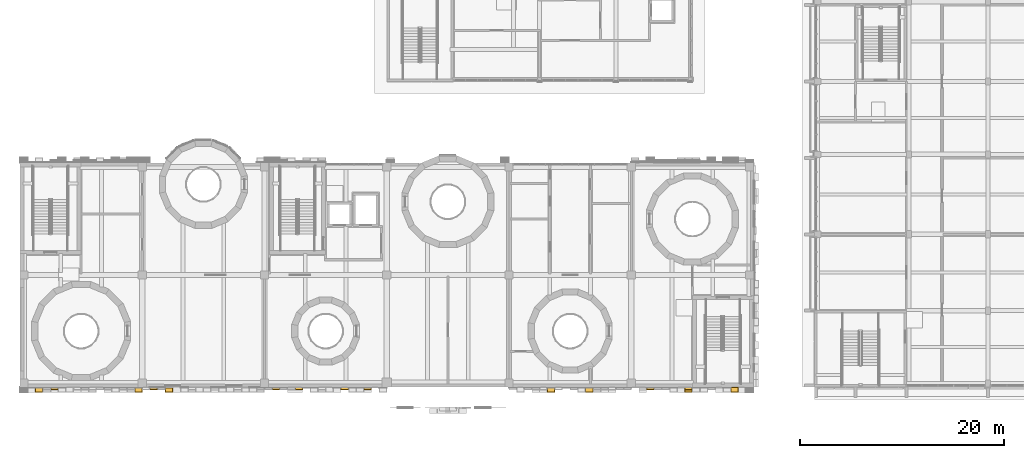
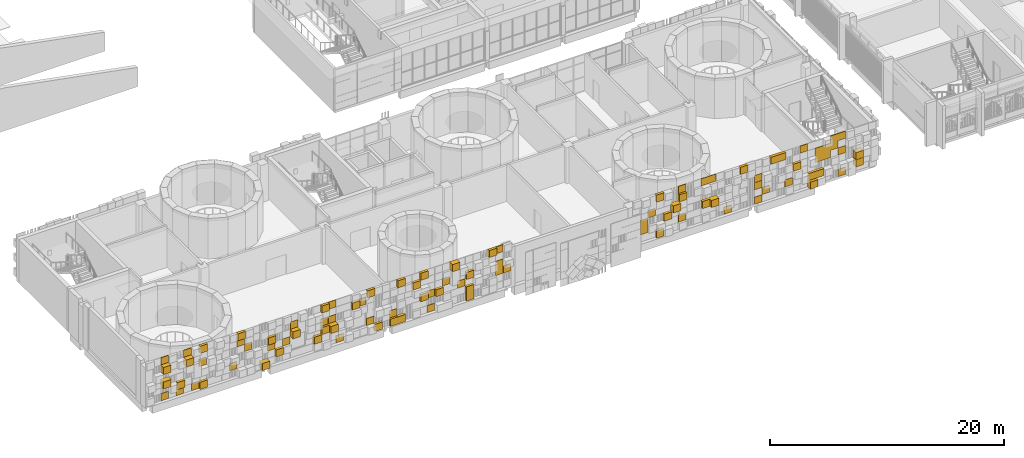
# One storey, part 62 of 92: 1 covering.
"""IFC4 building model written with IfcOpenShell, lengths in metres."""

from ifc_helpers import new_model, si_unit, direction, frame, origin, origin_2d, place, context, subcontext, project, spatial, rectangle, extrude, material, layer, layer_set, type_object, element, save


model = new_model("IFC4")

# Units and contexts
model_context = context("Model", 3, precision=1e-05, world=origin(), true_north=direction((0.0, 1.0)))
body_context = subcontext(model_context, "Body", "Model", "MODEL_VIEW")
ifc_project = project(units=[si_unit("LENGTHUNIT", "METRE"), si_unit("AREAUNIT", "SQUARE_METRE"), si_unit("VOLUMEUNIT", "CUBIC_METRE"), si_unit("PLANEANGLEUNIT", "RADIAN"), si_unit("MASSUNIT", "GRAM", prefix="KILO")], contexts=[model_context])

# Site, building, storey
site_placement = place(None, origin())
site = spatial("IfcSite", under=ifc_project, at=site_placement, CompositionType="ELEMENT")
building_placement = place(site_placement, origin())
building = spatial("IfcBuilding", under=site, at=building_placement, Name="Sun Court Science Centre", CompositionType="ELEMENT")
storey_placement = place(building_placement, frame((0.0, 0.0, 11.25)))
storey = spatial("IfcBuildingStorey", under=building, at=storey_placement, Name="L02", CompositionType="ELEMENT", Elevation=11.25)

# Covering
ifc_material = material(Name="Terracotta shade 2", Category="masonry")
ifc_layer = layer(ifc_material, 0.06005859375)
ifc_layer_set = layer_set([ifc_layer], Name="Terracotta shade 2")
covering_type = type_object("IfcCoveringType", Name="Terracotta pixel panel shade 2", PredefinedType="CLADDING", material=ifc_layer_set)
covering_placement = place(storey_placement, frame((0.0, 0.0, -11.25)))
element("IfcCovering", 1, at=covering_placement, inside=storey, type_object=covering_type, Name="Terracotta pixel cladding shade 2 south face L02", PredefinedType="CLADDING", context=body_context, shape_type="SweptSolid", body=[
    extrude(rectangle(XDim=0.739990234375, YDim=0.06005859375, at=origin_2d()), frame((68.625, 5.969970703125, 11.2548828125), z_axis=(0.0, 0.0, 1.0), x_axis=(-1.0, 0.0, 0.0)), (0.0, 0.0, 1.0), 0.739990234375),
    extrude(rectangle(XDim=0.739990234375, YDim=0.510009765625, at=origin_2d()), frame((65.625, 5.7451171875, 11.2548828125), z_axis=(0.0, 0.0, 1.0), x_axis=(-1.0, 0.0, 0.0)), (0.0, 0.0, 1.0), 0.739990234375),
    extrude(rectangle(XDim=0.739990234375, YDim=0.06005859375, at=origin_2d()), frame((60.375, 5.969970703125, 11.2548828125), z_axis=(0.0, 0.0, 1.0), x_axis=(-1.0, 0.0, 0.0)), (0.0, 0.0, 1.0), 0.739990234375),
    extrude(rectangle(XDim=0.739990234375, YDim=0.06005859375, at=origin_2d()), frame((57.375, 5.969970703125, 11.2548828125), z_axis=(0.0, 0.0, 1.0), x_axis=(-1.0, 0.0, 0.0)), (0.0, 0.0, 1.0), 0.739990234375),
    extrude(rectangle(XDim=0.739990234375, YDim=0.260009765625, at=origin_2d()), frame((50.625, 5.8701171875, 11.2548828125), z_axis=(0.0, 0.0, 1.0), x_axis=(-1.0, 0.0, 0.0)), (0.0, 0.0, 1.0), 0.739990234375),
    extrude(rectangle(XDim=0.739990234375, YDim=0.260009765625, at=origin_2d()), frame((31.875, 5.8701171875, 11.2548828125), z_axis=(0.0, 0.0, 1.0), x_axis=(-1.0, 0.0, 0.0)), (0.0, 0.0, 1.0), 0.739990234375),
    extrude(rectangle(XDim=0.739990234375, YDim=0.06005859375, at=origin_2d()), frame((28.125, 5.969970703125, 11.2548828125), z_axis=(0.0, 0.0, 1.0), x_axis=(-1.0, 0.0, 0.0)), (0.0, 0.0, 1.0), 0.739990234375),
    extrude(rectangle(XDim=0.739990234375, YDim=0.260009765625, at=origin_2d()), frame((25.125, 5.8701171875, 11.2548828125), z_axis=(0.0, 0.0, 1.0), x_axis=(-1.0, 0.0, 0.0)), (0.0, 0.0, 1.0), 0.739990234375),
    extrude(rectangle(XDim=0.739990234375, YDim=0.260009765625, at=origin_2d()), frame((24.375, 5.8701171875, 11.2548828125), z_axis=(0.0, 0.0, 1.0), x_axis=(-1.0, 0.0, 0.0)), (0.0, 0.0, 1.0), 0.739990234375),
    extrude(rectangle(XDim=0.739990234375, YDim=0.260009765625, at=origin_2d()), frame((22.875, 5.8701171875, 11.2548828125), z_axis=(0.0, 0.0, 1.0), x_axis=(-1.0, 0.0, 0.0)), (0.0, 0.0, 1.0), 0.739990234375),
    extrude(rectangle(XDim=0.739990234375, YDim=0.06005859375, at=origin_2d()), frame((19.125, 5.969970703125, 11.2548828125), z_axis=(0.0, 0.0, 1.0), x_axis=(-1.0, 0.0, 0.0)), (0.0, 0.0, 1.0), 0.739990234375),
    extrude(rectangle(XDim=0.739990234375, YDim=0.510009765625, at=origin_2d()), frame((11.625, 5.7451171875, 11.2548828125), z_axis=(0.0, 0.0, 1.0), x_axis=(-1.0, 0.0, 0.0)), (0.0, 0.0, 1.0), 0.739990234375),
    extrude(rectangle(XDim=0.739990234375, YDim=0.260009765625, at=origin_2d()), frame((5.625, 5.8701171875, 11.2548828125), z_axis=(0.0, 0.0, 1.0), x_axis=(-1.0, 0.0, 0.0)), (0.0, 0.0, 1.0), 0.739990234375),
    extrude(rectangle(XDim=0.739990234375, YDim=0.06005859375, at=origin_2d()), frame((4.875, 5.969970703125, 11.2548828125), z_axis=(0.0, 0.0, 1.0), x_axis=(-1.0, 0.0, 0.0)), (0.0, 0.0, 1.0), 0.739990234375),
    extrude(rectangle(XDim=0.739990234375, YDim=0.06005859375, at=origin_2d()), frame((3.375, 5.969970703125, 11.2548828125), z_axis=(0.0, 0.0, 1.0), x_axis=(-1.0, 0.0, 0.0)), (0.0, 0.0, 1.0), 0.739990234375),
    extrude(rectangle(XDim=0.739990234375, YDim=0.06005859375, at=origin_2d()), frame((1.875, 5.969970703125, 11.2548828125), z_axis=(0.0, 0.0, 1.0), x_axis=(-1.0, 0.0, 0.0)), (0.0, 0.0, 1.0), 0.739990234375),
    extrude(rectangle(XDim=0.739990234375, YDim=0.260009765625, at=origin_2d()), frame((66.375, 5.8701171875, 12.0048828125), z_axis=(0.0, 0.0, 1.0), x_axis=(-1.0, 0.0, 0.0)), (0.0, 0.0, 1.0), 0.739990234375),
    extrude(rectangle(XDim=0.739990234375, YDim=0.260009765625, at=origin_2d()), frame((65.625, 5.8701171875, 12.0048828125), z_axis=(0.0, 0.0, 1.0), x_axis=(-1.0, 0.0, 0.0)), (0.0, 0.0, 1.0), 0.739990234375),
    extrude(rectangle(XDim=0.739990234375, YDim=0.06005859375, at=origin_2d()), frame((63.375, 5.969970703125, 12.0048828125), z_axis=(0.0, 0.0, 1.0), x_axis=(-1.0, 0.0, 0.0)), (0.0, 0.0, 1.0), 0.739990234375),
    extrude(rectangle(XDim=0.739990234375, YDim=0.06005859375, at=origin_2d()), frame((61.125, 5.969970703125, 12.0048828125), z_axis=(0.0, 0.0, 1.0), x_axis=(-1.0, 0.0, 0.0)), (0.0, 0.0, 1.0), 0.739990234375),
    extrude(rectangle(XDim=0.739990234375, YDim=0.06005859375, at=origin_2d()), frame((52.875, 5.969970703125, 12.0048828125), z_axis=(0.0, 0.0, 1.0), x_axis=(-1.0, 0.0, 0.0)), (0.0, 0.0, 1.0), 0.739990234375),
    extrude(rectangle(XDim=0.739990234375, YDim=0.06005859375, at=origin_2d()), frame((49.125, 5.969970703125, 12.0048828125), z_axis=(0.0, 0.0, 1.0), x_axis=(-1.0, 0.0, 0.0)), (0.0, 0.0, 1.0), 0.739990234375),
    extrude(rectangle(XDim=0.739990234375, YDim=0.260009765625, at=origin_2d()), frame((31.875, 5.8701171875, 12.0048828125), z_axis=(0.0, 0.0, 1.0), x_axis=(-1.0, 0.0, 0.0)), (0.0, 0.0, 1.0), 0.739990234375),
    extrude(rectangle(XDim=0.739990234375, YDim=0.06005859375, at=origin_2d()), frame((24.375, 5.969970703125, 12.0048828125), z_axis=(0.0, 0.0, 1.0), x_axis=(-1.0, 0.0, 0.0)), (0.0, 0.0, 1.0), 0.739990234375),
    extrude(rectangle(XDim=0.739990234375, YDim=0.06005859375, at=origin_2d()), frame((22.125, 5.969970703125, 12.0048828125), z_axis=(0.0, 0.0, 1.0), x_axis=(-1.0, 0.0, 0.0)), (0.0, 0.0, 1.0), 0.739990234375),
    extrude(rectangle(XDim=0.739990234375, YDim=0.260009765625, at=origin_2d()), frame((16.875, 5.8701171875, 12.0048828125), z_axis=(0.0, 0.0, 1.0), x_axis=(-1.0, 0.0, 0.0)), (0.0, 0.0, 1.0), 0.739990234375),
    extrude(rectangle(XDim=0.739990234375, YDim=0.260009765625, at=origin_2d()), frame((13.125, 5.8701171875, 12.0048828125), z_axis=(0.0, 0.0, 1.0), x_axis=(-1.0, 0.0, 0.0)), (0.0, 0.0, 1.0), 0.739990234375),
    extrude(rectangle(XDim=0.739990234375, YDim=0.06005859375, at=origin_2d()), frame((8.625, 5.969970703125, 12.0048828125), z_axis=(0.0, 0.0, 1.0), x_axis=(-1.0, 0.0, 0.0)), (0.0, 0.0, 1.0), 0.739990234375),
    extrude(rectangle(XDim=0.739990234375, YDim=0.260009765625, at=origin_2d()), frame((3.375, 5.8701171875, 12.0048828125), z_axis=(0.0, 0.0, 1.0), x_axis=(-1.0, 0.0, 0.0)), (0.0, 0.0, 1.0), 0.739990234375),
    extrude(rectangle(XDim=0.739990234375, YDim=0.510009765625, at=origin_2d()), frame((70.125, 5.7451171875, 12.7548828125), z_axis=(0.0, 0.0, 1.0), x_axis=(-1.0, 0.0, 0.0)), (0.0, 0.0, 1.0), 0.739990234375),
    extrude(rectangle(XDim=0.739990234375, YDim=0.06005859375, at=origin_2d()), frame((60.375, 5.969970703125, 12.7548828125), z_axis=(0.0, 0.0, 1.0), x_axis=(-1.0, 0.0, 0.0)), (0.0, 0.0, 1.0), 0.739990234375),
    extrude(rectangle(XDim=0.739990234375, YDim=0.510009765625, at=origin_2d()), frame((55.875, 5.7451171875, 12.7548828125), z_axis=(0.0, 0.0, 1.0), x_axis=(-1.0, 0.0, 0.0)), (0.0, 0.0, 1.0), 0.739990234375),
    extrude(rectangle(XDim=0.739990234375, YDim=0.260009765625, at=origin_2d()), frame((55.125, 5.8701171875, 12.7548828125), z_axis=(0.0, 0.0, 1.0), x_axis=(-1.0, 0.0, 0.0)), (0.0, 0.0, 1.0), 0.739990234375),
    extrude(rectangle(XDim=0.739990234375, YDim=0.260009765625, at=origin_2d()), frame((51.375, 5.8701171875, 12.7548828125), z_axis=(0.0, 0.0, 1.0), x_axis=(-1.0, 0.0, 0.0)), (0.0, 0.0, 1.0), 0.739990234375),
    extrude(rectangle(XDim=0.739990234375, YDim=0.06005859375, at=origin_2d()), frame((49.125, 5.969970703125, 12.7548828125), z_axis=(0.0, 0.0, 1.0), x_axis=(-1.0, 0.0, 0.0)), (0.0, 0.0, 1.0), 0.739990234375),
    extrude(rectangle(XDim=0.739990234375, YDim=0.06005859375, at=origin_2d()), frame((35.625, 5.969970703125, 12.7548828125), z_axis=(0.0, 0.0, 1.0), x_axis=(-1.0, 0.0, 0.0)), (0.0, 0.0, 1.0), 0.739990234375),
    extrude(rectangle(XDim=0.739990234375, YDim=0.06005859375, at=origin_2d()), frame((34.875, 5.969970703125, 12.7548828125), z_axis=(0.0, 0.0, 1.0), x_axis=(-1.0, 0.0, 0.0)), (0.0, 0.0, 1.0), 0.739990234375),
    extrude(rectangle(XDim=0.739990234375, YDim=0.06005859375, at=origin_2d()), frame((31.125, 5.969970703125, 12.7548828125), z_axis=(0.0, 0.0, 1.0), x_axis=(-1.0, 0.0, 0.0)), (0.0, 0.0, 1.0), 0.739990234375),
    extrude(rectangle(XDim=0.739990234375, YDim=0.260009765625, at=origin_2d()), frame((28.875, 5.8701171875, 12.7548828125), z_axis=(0.0, 0.0, 1.0), x_axis=(-1.0, 0.0, 0.0)), (0.0, 0.0, 1.0), 0.739990234375),
    extrude(rectangle(XDim=0.739990234375, YDim=0.06005859375, at=origin_2d()), frame((28.125, 5.969970703125, 12.7548828125), z_axis=(0.0, 0.0, 1.0), x_axis=(-1.0, 0.0, 0.0)), (0.0, 0.0, 1.0), 0.739990234375),
    extrude(rectangle(XDim=0.739990234375, YDim=0.260009765625, at=origin_2d()), frame((27.375, 5.8701171875, 12.7548828125), z_axis=(0.0, 0.0, 1.0), x_axis=(-1.0, 0.0, 0.0)), (0.0, 0.0, 1.0), 0.739990234375),
    extrude(rectangle(XDim=0.739990234375, YDim=0.510009765625, at=origin_2d()), frame((18.375, 5.7451171875, 12.7548828125), z_axis=(0.0, 0.0, 1.0), x_axis=(-1.0, 0.0, 0.0)), (0.0, 0.0, 1.0), 0.739990234375),
    extrude(rectangle(XDim=0.739990234375, YDim=0.260009765625, at=origin_2d()), frame((17.625, 5.8701171875, 12.7548828125), z_axis=(0.0, 0.0, 1.0), x_axis=(-1.0, 0.0, 0.0)), (0.0, 0.0, 1.0), 0.739990234375),
    extrude(rectangle(XDim=0.739990234375, YDim=0.06005859375, at=origin_2d()), frame((13.875, 5.969970703125, 12.7548828125), z_axis=(0.0, 0.0, 1.0), x_axis=(-1.0, 0.0, 0.0)), (0.0, 0.0, 1.0), 0.739990234375),
    extrude(rectangle(XDim=0.739990234375, YDim=0.06005859375, at=origin_2d()), frame((12.375, 5.969970703125, 12.7548828125), z_axis=(0.0, 0.0, 1.0), x_axis=(-1.0, 0.0, 0.0)), (0.0, 0.0, 1.0), 0.739990234375),
    extrude(rectangle(XDim=0.739990234375, YDim=0.510009765625, at=origin_2d()), frame((1.875, 5.7451171875, 12.7548828125), z_axis=(0.0, 0.0, 1.0), x_axis=(-1.0, 0.0, 0.0)), (0.0, 0.0, 1.0), 0.739990234375),
    extrude(rectangle(XDim=0.739990234375, YDim=0.06005859375, at=origin_2d()), frame((68.625, 5.969970703125, 13.5048828125), z_axis=(0.0, 0.0, 1.0), x_axis=(-1.0, 0.0, 0.0)), (0.0, 0.0, 1.0), 0.739990234375),
    extrude(rectangle(XDim=0.739990234375, YDim=0.06005859375, at=origin_2d()), frame((67.125, 5.969970703125, 13.5048828125), z_axis=(0.0, 0.0, 1.0), x_axis=(-1.0, 0.0, 0.0)), (0.0, 0.0, 1.0), 0.739990234375),
    extrude(rectangle(XDim=0.739990234375, YDim=0.06005859375, at=origin_2d()), frame((66.375, 5.969970703125, 13.5048828125), z_axis=(0.0, 0.0, 1.0), x_axis=(-1.0, 0.0, 0.0)), (0.0, 0.0, 1.0), 0.739990234375),
    extrude(rectangle(XDim=0.739990234375, YDim=0.260009765625, at=origin_2d()), frame((64.125, 5.8701171875, 13.5048828125), z_axis=(0.0, 0.0, 1.0), x_axis=(-1.0, 0.0, 0.0)), (0.0, 0.0, 1.0), 0.739990234375),
    extrude(rectangle(XDim=0.739990234375, YDim=0.06005859375, at=origin_2d()), frame((60.375, 5.969970703125, 13.5048828125), z_axis=(0.0, 0.0, 1.0), x_axis=(-1.0, 0.0, 0.0)), (0.0, 0.0, 1.0), 0.739990234375),
    extrude(rectangle(XDim=0.739990234375, YDim=0.510009765625, at=origin_2d()), frame((52.125, 5.7451171875, 13.5048828125), z_axis=(0.0, 0.0, 1.0), x_axis=(-1.0, 0.0, 0.0)), (0.0, 0.0, 1.0), 0.739990234375),
    extrude(rectangle(XDim=0.739990234375, YDim=0.06005859375, at=origin_2d()), frame((49.875, 5.969970703125, 13.5048828125), z_axis=(0.0, 0.0, 1.0), x_axis=(-1.0, 0.0, 0.0)), (0.0, 0.0, 1.0), 0.739990234375),
    extrude(rectangle(XDim=0.739990234375, YDim=0.06005859375, at=origin_2d()), frame((34.875, 5.969970703125, 13.5048828125), z_axis=(0.0, 0.0, 1.0), x_axis=(-1.0, 0.0, 0.0)), (0.0, 0.0, 1.0), 0.739990234375),
    extrude(rectangle(XDim=0.739990234375, YDim=0.260009765625, at=origin_2d()), frame((31.875, 5.8701171875, 13.5048828125), z_axis=(0.0, 0.0, 1.0), x_axis=(-1.0, 0.0, 0.0)), (0.0, 0.0, 1.0), 0.739990234375),
    extrude(rectangle(XDim=0.739990234375, YDim=0.06005859375, at=origin_2d()), frame((29.625, 5.969970703125, 13.5048828125), z_axis=(0.0, 0.0, 1.0), x_axis=(-1.0, 0.0, 0.0)), (0.0, 0.0, 1.0), 0.739990234375),
    extrude(rectangle(XDim=0.739990234375, YDim=0.06005859375, at=origin_2d()), frame((18.375, 5.969970703125, 13.5048828125), z_axis=(0.0, 0.0, 1.0), x_axis=(-1.0, 0.0, 0.0)), (0.0, 0.0, 1.0), 0.739990234375),
    extrude(rectangle(XDim=0.739990234375, YDim=0.06005859375, at=origin_2d()), frame((17.625, 5.969970703125, 13.5048828125), z_axis=(0.0, 0.0, 1.0), x_axis=(-1.0, 0.0, 0.0)), (0.0, 0.0, 1.0), 0.739990234375),
    extrude(rectangle(XDim=0.739990234375, YDim=0.510009765625, at=origin_2d()), frame((14.625, 5.7451171875, 13.5048828125), z_axis=(0.0, 0.0, 1.0), x_axis=(-1.0, 0.0, 0.0)), (0.0, 0.0, 1.0), 0.739990234375),
    extrude(rectangle(XDim=0.739990234375, YDim=0.260009765625, at=origin_2d()), frame((12.375, 5.8701171875, 13.5048828125), z_axis=(0.0, 0.0, 1.0), x_axis=(-1.0, 0.0, 0.0)), (0.0, 0.0, 1.0), 0.739990234375),
    extrude(rectangle(XDim=0.739990234375, YDim=0.06005859375, at=origin_2d()), frame((10.125, 5.969970703125, 13.5048828125), z_axis=(0.0, 0.0, 1.0), x_axis=(-1.0, 0.0, 0.0)), (0.0, 0.0, 1.0), 0.739990234375),
    extrude(rectangle(XDim=0.739990234375, YDim=0.06005859375, at=origin_2d()), frame((5.625, 5.969970703125, 13.5048828125), z_axis=(0.0, 0.0, 1.0), x_axis=(-1.0, 0.0, 0.0)), (0.0, 0.0, 1.0), 0.739990234375),
    extrude(rectangle(XDim=0.739990234375, YDim=0.06005859375, at=origin_2d()), frame((67.875, 5.969970703125, 14.2548828125), z_axis=(0.0, 0.0, 1.0), x_axis=(-1.0, 0.0, 0.0)), (0.0, 0.0, 1.0), 0.739990234375),
    extrude(rectangle(XDim=0.739990234375, YDim=0.06005859375, at=origin_2d()), frame((67.125, 5.969970703125, 14.2548828125), z_axis=(0.0, 0.0, 1.0), x_axis=(-1.0, 0.0, 0.0)), (0.0, 0.0, 1.0), 0.739990234375),
    extrude(rectangle(XDim=0.739990234375, YDim=0.06005859375, at=origin_2d()), frame((66.375, 5.969970703125, 14.2548828125), z_axis=(0.0, 0.0, 1.0), x_axis=(-1.0, 0.0, 0.0)), (0.0, 0.0, 1.0), 0.739990234375),
    extrude(rectangle(XDim=0.739990234375, YDim=0.260009765625, at=origin_2d()), frame((52.875, 5.8701171875, 14.2548828125), z_axis=(0.0, 0.0, 1.0), x_axis=(-1.0, 0.0, 0.0)), (0.0, 0.0, 1.0), 0.739990234375),
    extrude(rectangle(XDim=0.739990234375, YDim=0.260009765625, at=origin_2d()), frame((26.625, 5.8701171875, 14.2548828125), z_axis=(0.0, 0.0, 1.0), x_axis=(-1.0, 0.0, 0.0)), (0.0, 0.0, 1.0), 0.739990234375),
    extrude(rectangle(XDim=0.739990234375, YDim=0.06005859375, at=origin_2d()), frame((21.375, 5.969970703125, 14.2548828125), z_axis=(0.0, 0.0, 1.0), x_axis=(-1.0, 0.0, 0.0)), (0.0, 0.0, 1.0), 0.739990234375),
    extrude(rectangle(XDim=0.739990234375, YDim=0.260009765625, at=origin_2d()), frame((20.625, 5.8701171875, 14.2548828125), z_axis=(0.0, 0.0, 1.0), x_axis=(-1.0, 0.0, 0.0)), (0.0, 0.0, 1.0), 0.739990234375),
    extrude(rectangle(XDim=0.739990234375, YDim=0.06005859375, at=origin_2d()), frame((14.625, 5.969970703125, 14.2548828125), z_axis=(0.0, 0.0, 1.0), x_axis=(-1.0, 0.0, 0.0)), (0.0, 0.0, 1.0), 0.739990234375),
    extrude(rectangle(XDim=0.739990234375, YDim=0.06005859375, at=origin_2d()), frame((9.375, 5.969970703125, 14.2548828125), z_axis=(0.0, 0.0, 1.0), x_axis=(-1.0, 0.0, 0.0)), (0.0, 0.0, 1.0), 0.739990234375),
    extrude(rectangle(XDim=0.739990234375, YDim=0.510009765625, at=origin_2d()), frame((4.125, 5.7451171875, 14.2548828125), z_axis=(0.0, 0.0, 1.0), x_axis=(-1.0, 0.0, 0.0)), (0.0, 0.0, 1.0), 0.739990234375),
    extrude(rectangle(XDim=0.739990234375, YDim=0.510009765625, at=origin_2d()), frame((1.875, 5.7451171875, 14.2548828125), z_axis=(0.0, 0.0, 1.0), x_axis=(-1.0, 0.0, 0.0)), (0.0, 0.0, 1.0), 0.739990234375),
    extrude(rectangle(XDim=0.739990234375, YDim=0.06005859375, at=origin_2d()), frame((68.625, 5.969970703125, 15.0048828125), z_axis=(0.0, 0.0, 1.0), x_axis=(-1.0, 0.0, 0.0)), (0.0, 0.0, 1.0), 0.739990234375),
    extrude(rectangle(XDim=0.739990234375, YDim=0.06005859375, at=origin_2d()), frame((67.875, 5.969970703125, 15.0048828125), z_axis=(0.0, 0.0, 1.0), x_axis=(-1.0, 0.0, 0.0)), (0.0, 0.0, 1.0), 0.739990234375),
    extrude(rectangle(XDim=0.739990234375, YDim=0.06005859375, at=origin_2d()), frame((64.875, 5.969970703125, 15.0048828125), z_axis=(0.0, 0.0, 1.0), x_axis=(-1.0, 0.0, 0.0)), (0.0, 0.0, 1.0), 0.739990234375),
    extrude(rectangle(XDim=0.739990234375, YDim=0.260009765625, at=origin_2d()), frame((62.625, 5.8701171875, 15.0048828125), z_axis=(0.0, 0.0, 1.0), x_axis=(-1.0, 0.0, 0.0)), (0.0, 0.0, 1.0), 0.739990234375),
    extrude(rectangle(XDim=0.739990234375, YDim=0.260009765625, at=origin_2d()), frame((61.875, 5.8701171875, 15.0048828125), z_axis=(0.0, 0.0, 1.0), x_axis=(-1.0, 0.0, 0.0)), (0.0, 0.0, 1.0), 0.739990234375),
    extrude(rectangle(XDim=0.739990234375, YDim=0.260009765625, at=origin_2d()), frame((58.875, 5.8701171875, 15.0048828125), z_axis=(0.0, 0.0, 1.0), x_axis=(-1.0, 0.0, 0.0)), (0.0, 0.0, 1.0), 0.739990234375),
    extrude(rectangle(XDim=0.739990234375, YDim=0.06005859375, at=origin_2d()), frame((55.875, 5.969970703125, 15.0048828125), z_axis=(0.0, 0.0, 1.0), x_axis=(-1.0, 0.0, 0.0)), (0.0, 0.0, 1.0), 0.739990234375),
    extrude(rectangle(XDim=0.739990234375, YDim=0.06005859375, at=origin_2d()), frame((55.125, 5.969970703125, 15.0048828125), z_axis=(0.0, 0.0, 1.0), x_axis=(-1.0, 0.0, 0.0)), (0.0, 0.0, 1.0), 0.739990234375),
    extrude(rectangle(XDim=0.739990234375, YDim=0.06005859375, at=origin_2d()), frame((52.875, 5.969970703125, 15.0048828125), z_axis=(0.0, 0.0, 1.0), x_axis=(-1.0, 0.0, 0.0)), (0.0, 0.0, 1.0), 0.739990234375),
    extrude(rectangle(XDim=0.739990234375, YDim=0.260009765625, at=origin_2d()), frame((50.625, 5.8701171875, 15.0048828125), z_axis=(0.0, 0.0, 1.0), x_axis=(-1.0, 0.0, 0.0)), (0.0, 0.0, 1.0), 0.739990234375),
    extrude(rectangle(XDim=0.739990234375, YDim=0.06005859375, at=origin_2d()), frame((34.875, 5.969970703125, 15.0048828125), z_axis=(0.0, 0.0, 1.0), x_axis=(-1.0, 0.0, 0.0)), (0.0, 0.0, 1.0), 0.739990234375),
    extrude(rectangle(XDim=0.739990234375, YDim=0.260009765625, at=origin_2d()), frame((34.125, 5.8701171875, 15.0048828125), z_axis=(0.0, 0.0, 1.0), x_axis=(-1.0, 0.0, 0.0)), (0.0, 0.0, 1.0), 0.739990234375),
    extrude(rectangle(XDim=0.739990234375, YDim=0.510009765625, at=origin_2d()), frame((30.375, 5.7451171875, 15.0048828125), z_axis=(0.0, 0.0, 1.0), x_axis=(-1.0, 0.0, 0.0)), (0.0, 0.0, 1.0), 0.739990234375),
    extrude(rectangle(XDim=0.739990234375, YDim=0.260009765625, at=origin_2d()), frame((27.375, 5.8701171875, 15.0048828125), z_axis=(0.0, 0.0, 1.0), x_axis=(-1.0, 0.0, 0.0)), (0.0, 0.0, 1.0), 0.739990234375),
    extrude(rectangle(XDim=0.739990234375, YDim=0.260009765625, at=origin_2d()), frame((25.125, 5.8701171875, 15.0048828125), z_axis=(0.0, 0.0, 1.0), x_axis=(-1.0, 0.0, 0.0)), (0.0, 0.0, 1.0), 0.739990234375),
    extrude(rectangle(XDim=0.739990234375, YDim=0.260009765625, at=origin_2d()), frame((22.125, 5.8701171875, 15.0048828125), z_axis=(0.0, 0.0, 1.0), x_axis=(-1.0, 0.0, 0.0)), (0.0, 0.0, 1.0), 0.739990234375),
    extrude(rectangle(XDim=0.739990234375, YDim=0.06005859375, at=origin_2d()), frame((18.375, 5.969970703125, 15.0048828125), z_axis=(0.0, 0.0, 1.0), x_axis=(-1.0, 0.0, 0.0)), (0.0, 0.0, 1.0), 0.739990234375),
    extrude(rectangle(XDim=0.739990234375, YDim=0.260009765625, at=origin_2d()), frame((17.625, 5.8701171875, 15.0048828125), z_axis=(0.0, 0.0, 1.0), x_axis=(-1.0, 0.0, 0.0)), (0.0, 0.0, 1.0), 0.739990234375),
    extrude(rectangle(XDim=0.739990234375, YDim=0.260009765625, at=origin_2d()), frame((9.375, 5.8701171875, 15.0048828125), z_axis=(0.0, 0.0, 1.0), x_axis=(-1.0, 0.0, 0.0)), (0.0, 0.0, 1.0), 0.739990234375),
    extrude(rectangle(XDim=0.739990234375, YDim=0.260009765625, at=origin_2d()), frame((5.625, 5.8701171875, 15.0048828125), z_axis=(0.0, 0.0, 1.0), x_axis=(-1.0, 0.0, 0.0)), (0.0, 0.0, 1.0), 0.739990234375),
    extrude(rectangle(XDim=0.739990234375, YDim=0.06005859375, at=origin_2d()), frame((4.125, 5.969970703125, 15.0048828125), z_axis=(0.0, 0.0, 1.0), x_axis=(-1.0, 0.0, 0.0)), (0.0, 0.0, 1.0), 0.739990234375),
    extrude(rectangle(XDim=0.739990234375, YDim=0.06005859375, at=origin_2d()), frame((1.875, 5.969970703125, 15.0048828125), z_axis=(0.0, 0.0, 1.0), x_axis=(-1.0, 0.0, 0.0)), (0.0, 0.0, 1.0), 0.739990234375),
    extrude(rectangle(XDim=0.739990234375, YDim=0.510009765625, at=origin_2d()), frame((70.125, 5.7451171875, 12.0048828125), z_axis=(0.0, 0.0, 1.0), x_axis=(-1.0, 0.0, 0.0)), (0.0, 0.0, 1.0), 0.739990234375),
])

save(model, "model.ifc")
